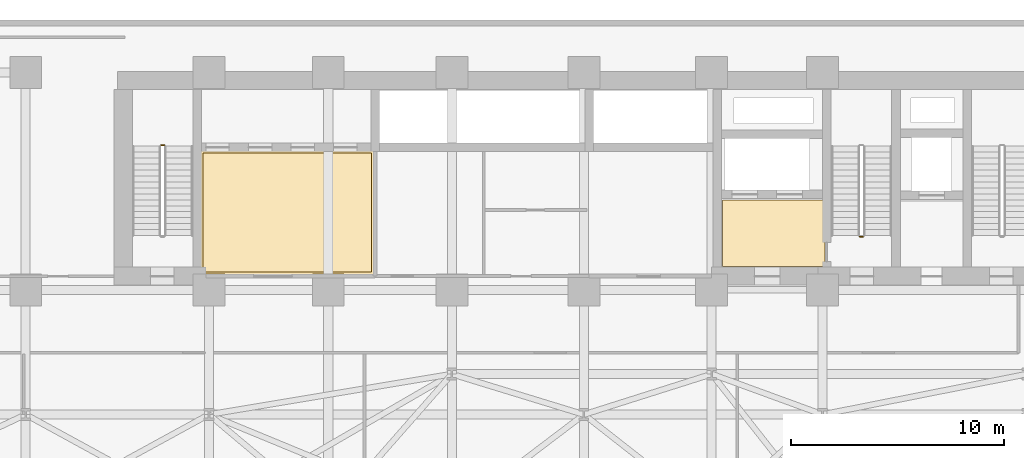
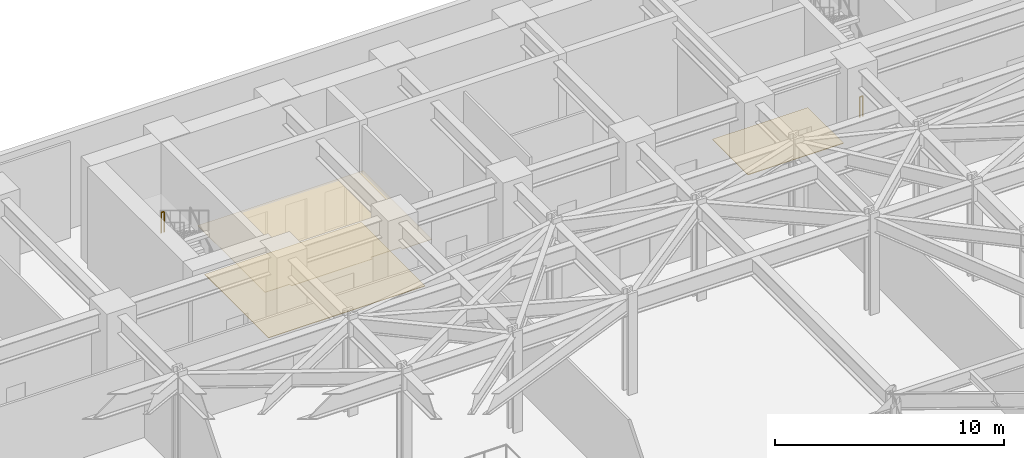
# One storey, part 28 of 29: 3 coverings, 2 railings.
"""IFC4 building model written with IfcOpenShell, lengths in metres."""

from ifc_helpers import new_model, si_unit, direction, frame, origin, origin_2d, place, context, subcontext, project, spatial, polyline, circle, outline, extrude, material, layer, layer_set, type_object, element, save


model = new_model("IFC4")

# Units and contexts
model_context = context("Model", 3, precision=1e-05, world=origin(), true_north=direction((0.0, 1.0)))
body_context = subcontext(model_context, "Body", "Model", "MODEL_VIEW")
ifc_project = project(units=[si_unit("LENGTHUNIT", "METRE"), si_unit("AREAUNIT", "SQUARE_METRE"), si_unit("VOLUMEUNIT", "CUBIC_METRE"), si_unit("PLANEANGLEUNIT", "RADIAN"), si_unit("MASSUNIT", "GRAM", prefix="KILO")], contexts=[model_context])

# Site, building, storey
site_placement = place(None, origin())
site = spatial("IfcSite", under=ifc_project, at=site_placement, CompositionType="ELEMENT")
building_placement = place(site_placement, origin())
building = spatial("IfcBuilding", under=site, at=building_placement, Name="Kravanh Interchange Tower", CompositionType="ELEMENT")
storey_placement = place(building_placement, frame((0.0, 0.0, 5.39990234375)))
storey = spatial("IfcBuildingStorey", under=building, at=storey_placement, Name="L01", CompositionType="ELEMENT", Elevation=5.39990234375)

# Coverings
ifc_material_1 = material(Name="Cementitious Terrazzo Tile")
ifc_layer_1 = layer(ifc_material_1, 0.030029296875)
ifc_layer_set_1 = layer_set([ifc_layer_1], Name="Honed Terrazzo Lobby Flooring 30mm")
covering_type_1 = type_object("IfcCoveringType", Name="Honed Terrazzo Lobby Flooring 30mm", PredefinedType="FLOORING", material=ifc_layer_set_1)
covering_1_placement = place(storey_placement, origin())
element("IfcCovering", 1, at=covering_1_placement, inside=storey, type_object=covering_type_1, Name="L01 Firefighting Lobby Floor Finish", PredefinedType="FLOORING", context=body_context, shape_type="SweptSolid", body=[
    extrude(outline(polyline([(56.1201171875, 38.4599609375), (51.300048828125, 38.4599609375), (51.300048828125, 41.580078125), (56.1201171875, 41.580078125), (56.1201171875, 38.4599609375)])), origin(), (0.0, 0.0, 1.0), 0.030029296875),
])
covering_2_placement = place(storey_placement, origin())
element("IfcCovering", 2, at=covering_2_placement, inside=storey, type_object=covering_type_1, Name="L01 Low-Rise Lift Lobby Floor Finish", PredefinedType="FLOORING", context=body_context, shape_type="SweptSolid", body=[
    extrude(outline(polyline([(26.929931640625, 43.77001953125), (34.840087890625, 43.77001953125), (34.840087890625, 38.179931640625), (26.929931640625, 38.179931640625), (26.929931640625, 43.77001953125)])), origin(), (0.0, 0.0, 1.0), 0.030029296875),
])
ifc_material_2 = material(Name="Acoustic Mineral Fibre Tile on Aluminium Grid", Category="aluminium")
ifc_layer_2 = layer(ifc_material_2, 0.02490234375)
ifc_layer_set_2 = layer_set([ifc_layer_2], Name="Perforated Acoustic Mineral Ceiling 25mm")
covering_type_2 = type_object("IfcCoveringType", Name="Perforated Acoustic Mineral Ceiling 25mm", PredefinedType="CEILING", material=ifc_layer_set_2)
covering_3_placement = place(storey_placement, frame((0.0, 0.0, 2.550048828125)))
element("IfcCovering", 3, at=covering_3_placement, inside=storey, type_object=covering_type_2, Name="L01 Low-Rise Lift Lobby Suspended Ceiling", PredefinedType="CEILING", context=body_context, shape_type="SweptSolid", body=[
    extrude(outline(polyline([(35.06005859375, 37.9599609375), (33.550048828125, 37.9599609375), (33.550048828125, 38.10009765625), (32.050048828125, 38.10009765625), (32.050048828125, 37.9599609375), (27.949951171875, 37.9599609375), (27.949951171875, 38.10009765625), (26.7099609375, 38.10009765625), (26.7099609375, 43.989990234375), (35.06005859375, 43.989990234375), (35.06005859375, 37.9599609375)])), origin(), (0.0, 0.0, 1.0), 0.025146484375),
])

# Railings
ifc_material_3 = material(Name="Structural Steel S355", Category="steel")
ifc_layer_3 = layer(ifc_material_3, 0.050048828125)
ifc_layer_set_3 = layer_set([ifc_layer_3], Name="Stair Well Guardrail Structural Steel S355 1100mm")
railing_type = type_object("IfcRailingType", Name="Stair Well Guardrail Structural Steel S355 1100mm", PredefinedType="GUARDRAIL", material=ifc_layer_set_3)
railing_1_placement = place(storey_placement, frame((57.89990234375, 39.85009765625, 0.0)))
element("IfcRailing", 4, at=railing_1_placement, inside=storey, type_object=railing_type, Name="L01 ST2 stair guard 4", PredefinedType="GUARDRAIL", context=body_context, shape_type="SweptSolid", body=[
    extrude(circle(Radius=0.02392578125, at=origin_2d()), frame((0.0, 0.0, 1.076171875), z_axis=(-1.0, 0.0, 0.0), x_axis=(0.0, -1.0, 0.0)), (0.0, 0.0, 1.0), 0.14990234375),
    extrude(circle(Radius=0.02099609375, at=origin_2d()), origin(), (0.0, 0.0, 1.0), 1.052001953125),
    extrude(circle(Radius=0.02099609375, at=origin_2d()), frame((-0.14990234375, 0.0, 0.0)), (0.0, 0.0, 1.0), 1.052001953125),
])
railing_2_placement = place(storey_placement, frame((25.10009765625, 44.14990234375, 2.7001953125)))
element("IfcRailing", 5, at=railing_2_placement, inside=storey, type_object=railing_type, Name="L01 ST3 stair guard 2", PredefinedType="GUARDRAIL", context=body_context, shape_type="SweptSolid", body=[
    extrude(circle(Radius=0.02392578125, at=origin_2d()), frame((0.0, 0.0, 1.076171875), z_axis=(-1.0, 0.0, 0.0), x_axis=(0.0, -1.0, 0.0)), (0.0, 0.0, 1.0), 0.150146484375),
    extrude(circle(Radius=0.02099609375, at=origin_2d()), origin(), (0.0, 0.0, 1.0), 1.052001953125),
    extrude(circle(Radius=0.02099609375, at=origin_2d()), frame((-0.150146484375, 0.0, 0.0)), (0.0, 0.0, 1.0), 1.052001953125),
])

save(model, "model.ifc")
